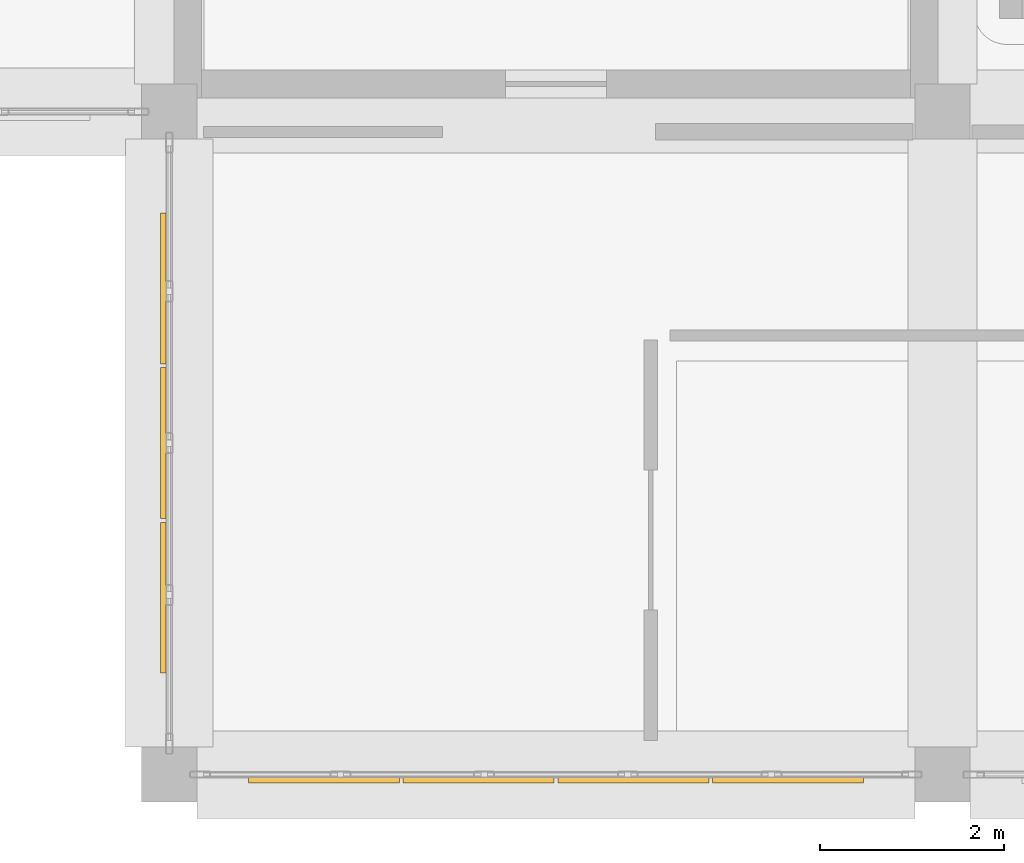
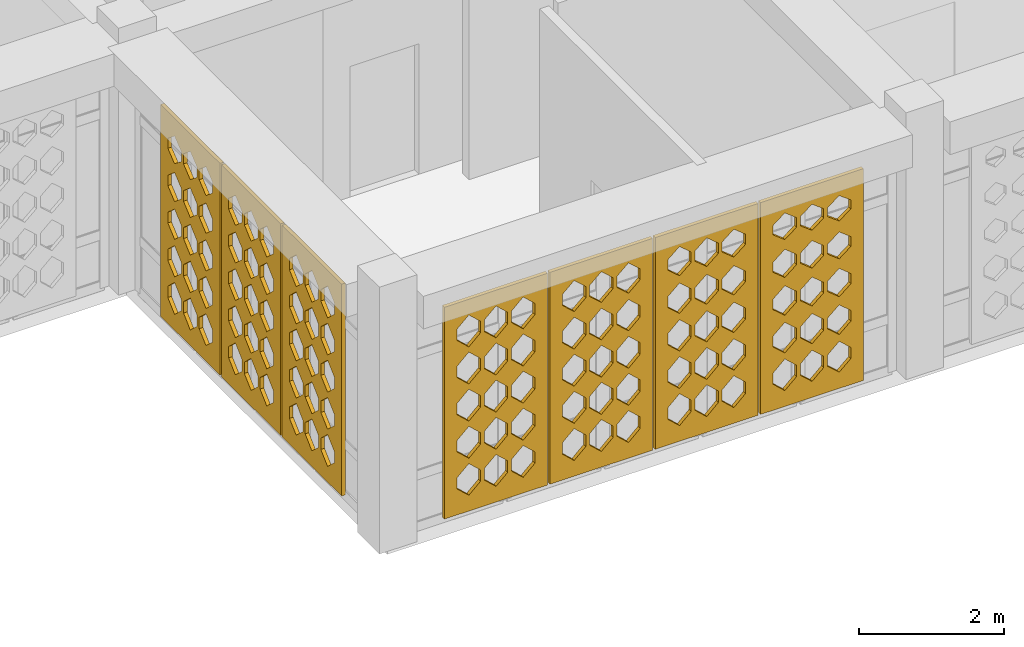
# One storey, part 18 of 28: 7 coverings.
"""IFC4 building model written with IfcOpenShell, lengths in metres."""

from ifc_helpers import new_model, si_unit, derived_unit, direction, frame, origin, place, context, subcontext, project, spatial, polyline, outline, extrude, material, layer, layer_set, type_object, element, save


model = new_model("IFC4")

# Units and contexts
model_context = context("Model", 3, precision=1e-05, world=origin(), true_north=direction((0.0, 1.0)))
body_context = subcontext(model_context, "Body", "Model", "MODEL_VIEW")
ifc_project = project(units=[si_unit("LENGTHUNIT", "METRE"), si_unit("AREAUNIT", "SQUARE_METRE"), si_unit("VOLUMEUNIT", "CUBIC_METRE"), si_unit("PLANEANGLEUNIT", "RADIAN"), si_unit("MASSUNIT", "GRAM", prefix="KILO"), derived_unit("THERMALTRANSMITTANCEUNIT", [(si_unit("POWERUNIT", "WATT"), 1), (si_unit("LENGTHUNIT", "METRE"), -2), (si_unit("THERMODYNAMICTEMPERATUREUNIT", "KELVIN"), -1)])], contexts=[model_context])

# Site, building, storey
site_placement = place(None, origin())
site = spatial("IfcSite", under=ifc_project, at=site_placement, CompositionType="ELEMENT")
building_placement = place(site_placement, origin())
building = spatial("IfcBuilding", under=site, at=building_placement, Name="Veybourne Emporium", CompositionType="ELEMENT")
storey_placement = place(building_placement, frame((0.0, 0.0, 32.10009765625)))
storey = spatial("IfcBuildingStorey", under=building, at=storey_placement, Name="L07", CompositionType="ELEMENT", Elevation=32.10009765625)

# Coverings
ifc_material = material(Name="Warm-White Perforated Aluminium Screen Alloy", Category="aluminium")
ifc_layer_1 = layer(ifc_material, 0.06005859375)
ifc_layer_set_1 = layer_set([ifc_layer_1], Name="Warm-White Perforated Aluminium Screen Alloy")
covering_type_1 = type_object("IfcCoveringType", Name="WaveScreen_SCR-01", PredefinedType="CLADDING", material=ifc_layer_set_1)
covering_1_placement = place(storey_placement, frame((23.52001953125, 7.10693359375, 1.844970703125), z_axis=(0.0, 1.0, 0.0), x_axis=(-1.0, 0.0, 0.0)))
element("IfcCovering", 1, at=covering_1_placement, inside=storey, type_object=covering_type_1, Name="L07 wave-perforated aluminium screen SCR-01 (8C.1)", PredefinedType="CLADDING", context=body_context, shape_type="SweptSolid", body=[
    extrude(outline(polyline([(-0.81982421875, -1.78515625), (0.81982421875, -1.78515625), (0.81982421875, 1.78515625), (-0.81982421875, 1.78515625), (-0.81982421875, -1.78515625)]), holes=[polyline([(-0.433349609375, -0.991943359375), (-0.2470703125, -1.158447265625), (-0.2470703125, -1.345703125), (-0.433349609375, -1.511962890625), (-0.61962890625, -1.345703125), (-0.61962890625, -1.158447265625), (-0.433349609375, -0.991943359375)]), polyline([(-0.433349609375, -0.375244140625), (-0.2470703125, -0.535888671875), (-0.2470703125, -0.71630859375), (-0.433349609375, -0.876708984375), (-0.61962890625, -0.71630859375), (-0.61962890625, -0.535888671875), (-0.433349609375, -0.375244140625)]), polyline([(-0.433349609375, 0.239501953125), (-0.2470703125, 0.086181640625), (-0.2470703125, -0.086181640625), (-0.433349609375, -0.239501953125), (-0.61962890625, -0.086181640625), (-0.61962890625, 0.086181640625), (-0.433349609375, 0.239501953125)]), polyline([(-0.433349609375, 0.85302734375), (-0.2470703125, 0.707763671875), (-0.2470703125, 0.544189453125), (-0.433349609375, 0.39892578125), (-0.61962890625, 0.544189453125), (-0.61962890625, 0.707763671875), (-0.433349609375, 0.85302734375)]), polyline([(-0.433349609375, 1.46533203125), (-0.248779296875, 1.328857421875), (-0.248779296875, 1.17529296875), (-0.433349609375, 1.03857421875), (-0.617919921875, 1.17529296875), (-0.617919921875, 1.328857421875), (-0.433349609375, 1.46533203125)]), polyline([(0.0, -0.988525390625), (0.186279296875, -1.1572265625), (0.186279296875, -1.3466796875), (0.0, -1.515380859375), (-0.186279296875, -1.3466796875), (-0.186279296875, -1.1572265625), (0.0, -0.988525390625)]), polyline([(0.0, -0.37109375), (0.186279296875, -0.5341796875), (0.186279296875, -0.7177734375), (0.0, -0.881103515625), (-0.186279296875, -0.7177734375), (-0.186279296875, -0.5341796875), (0.0, -0.37109375)]), polyline([(0.0, 0.24462890625), (0.186279296875, 0.088134765625), (0.186279296875, -0.088134765625), (0.0, -0.24462890625), (-0.186279296875, -0.088134765625), (-0.186279296875, 0.088134765625), (0.0, 0.24462890625)]), polyline([(0.0, 0.85888671875), (0.186279296875, 0.709716796875), (0.186279296875, 0.542236328125), (0.0, 0.393310546875), (-0.186279296875, 0.542236328125), (-0.186279296875, 0.709716796875), (0.0, 0.85888671875)]), polyline([(0.0, 1.4716796875), (0.186279296875, 1.3310546875), (0.186279296875, 1.1728515625), (0.0, 1.032470703125), (-0.186279296875, 1.1728515625), (-0.186279296875, 1.3310546875), (0.0, 1.4716796875)]), polyline([(0.433349609375, -0.985595703125), (0.61962890625, -1.156005859375), (0.61962890625, -1.347900390625), (0.433349609375, -1.5185546875), (0.2470703125, -1.347900390625), (0.2470703125, -1.156005859375), (0.433349609375, -0.985595703125)]), polyline([(0.433349609375, -0.366943359375), (0.61962890625, -0.53271484375), (0.61962890625, -0.71923828125), (0.433349609375, -0.885009765625), (0.2470703125, -0.71923828125), (0.2470703125, -0.53271484375), (0.433349609375, -0.366943359375)]), polyline([(0.433349609375, 0.24951171875), (0.61962890625, 0.08984375), (0.61962890625, -0.08984375), (0.433349609375, -0.24951171875), (0.2470703125, -0.08984375), (0.2470703125, 0.08984375), (0.433349609375, 0.24951171875)]), polyline([(0.433349609375, 0.8642578125), (0.61962890625, 0.7119140625), (0.61962890625, 0.540283203125), (0.433349609375, 0.3876953125), (0.2470703125, 0.540283203125), (0.2470703125, 0.7119140625), (0.433349609375, 0.8642578125)]), polyline([(0.433349609375, 1.4775390625), (0.61962890625, 1.333251953125), (0.61962890625, 1.1708984375), (0.433349609375, 1.0263671875), (0.2470703125, 1.1708984375), (0.2470703125, 1.333251953125), (0.433349609375, 1.4775390625)])]), origin(), (0.0, 0.0, 1.0), 0.06005859375),
])
ifc_layer_2 = layer(ifc_material, 0.06005859375)
ifc_layer_set_2 = layer_set([ifc_layer_2], Name="Warm-White Perforated Aluminium Screen Alloy")
covering_type_2 = type_object("IfcCoveringType", Name="WaveScreen_SCR-02", PredefinedType="CLADDING", material=ifc_layer_set_2)
covering_2_placement = place(storey_placement, frame((21.840087890625, 7.10693359375, 1.844970703125), z_axis=(0.0, 1.0, 0.0), x_axis=(-1.0, 0.0, 0.0)))
element("IfcCovering", 2, at=covering_2_placement, inside=storey, type_object=covering_type_2, Name="L07 wave-perforated aluminium screen SCR-02 (8C.2)", PredefinedType="CLADDING", context=body_context, shape_type="SweptSolid", body=[
    extrude(outline(polyline([(-0.81982421875, -1.78515625), (0.81982421875, -1.78515625), (0.81982421875, 1.78515625), (-0.81982421875, 1.78515625), (-0.81982421875, -1.78515625)]), holes=[polyline([(-0.433349609375, -0.98291015625), (-0.2470703125, -1.155029296875), (-0.2470703125, -1.348876953125), (-0.433349609375, -1.521240234375), (-0.61962890625, -1.348876953125), (-0.61962890625, -1.155029296875), (-0.433349609375, -0.98291015625)]), polyline([(-0.433349609375, -0.360595703125), (-0.2470703125, -0.530517578125), (-0.2470703125, -0.7216796875), (-0.433349609375, -0.891357421875), (-0.61962890625, -0.7216796875), (-0.61962890625, -0.530517578125), (-0.433349609375, -0.360595703125)]), polyline([(-0.433349609375, 0.257568359375), (-0.2470703125, 0.0927734375), (-0.2470703125, -0.0927734375), (-0.433349609375, -0.257568359375), (-0.61962890625, -0.0927734375), (-0.61962890625, 0.0927734375), (-0.433349609375, 0.257568359375)]), polyline([(-0.433349609375, 0.873779296875), (-0.2470703125, 0.715087890625), (-0.2470703125, 0.536865234375), (-0.433349609375, 0.378173828125), (-0.61962890625, 0.536865234375), (-0.61962890625, 0.715087890625), (-0.433349609375, 0.873779296875)]), polyline([(-0.433349609375, 1.48828125), (-0.2470703125, 1.3369140625), (-0.2470703125, 1.1669921875), (-0.433349609375, 1.015869140625), (-0.61962890625, 1.1669921875), (-0.61962890625, 1.3369140625), (-0.433349609375, 1.48828125)]), polyline([(0.0, -0.98291015625), (0.186279296875, -1.155029296875), (0.186279296875, -1.348876953125), (0.0, -1.521240234375), (-0.186279296875, -1.348876953125), (-0.186279296875, -1.155029296875), (0.0, -0.98291015625)]), polyline([(0.0, -0.35791015625), (0.186279296875, -0.529296875), (0.186279296875, -0.72265625), (0.0, -0.894287109375), (-0.186279296875, -0.72265625), (-0.186279296875, -0.529296875), (0.0, -0.35791015625)]), polyline([(0.0, 0.261474609375), (0.186279296875, 0.093994140625), (0.186279296875, -0.093994140625), (0.0, -0.261474609375), (-0.186279296875, -0.093994140625), (-0.186279296875, 0.093994140625), (0.0, 0.261474609375)]), polyline([(0.0, 0.87841796875), (0.186279296875, 0.716796875), (0.186279296875, 0.53515625), (0.0, 0.37353515625), (-0.186279296875, 0.53515625), (-0.186279296875, 0.716796875), (0.0, 0.87841796875)]), polyline([(0.0, 1.49365234375), (0.186279296875, 1.339111328125), (0.186279296875, 1.1650390625), (0.0, 1.010498046875), (-0.186279296875, 1.1650390625), (-0.186279296875, 1.339111328125), (0.0, 1.49365234375)]), polyline([(0.433349609375, -0.98291015625), (0.61962890625, -1.155029296875), (0.61962890625, -1.348876953125), (0.433349609375, -1.521240234375), (0.2470703125, -1.348876953125), (0.2470703125, -1.155029296875), (0.433349609375, -0.98291015625)]), polyline([(0.433349609375, -0.356689453125), (0.61962890625, -0.529052734375), (0.61962890625, -0.722900390625), (0.433349609375, -0.895263671875), (0.2470703125, -0.722900390625), (0.2470703125, -0.529052734375), (0.433349609375, -0.356689453125)]), polyline([(0.433349609375, 0.2646484375), (0.61962890625, 0.09521484375), (0.61962890625, -0.09521484375), (0.433349609375, -0.2646484375), (0.2470703125, -0.09521484375), (0.2470703125, 0.09521484375), (0.433349609375, 0.2646484375)]), polyline([(0.433349609375, 0.882568359375), (0.61962890625, 0.718505859375), (0.61962890625, 0.53369140625), (0.433349609375, 0.369384765625), (0.2470703125, 0.53369140625), (0.2470703125, 0.718505859375), (0.433349609375, 0.882568359375)]), polyline([(0.433349609375, 1.49853515625), (0.61962890625, 1.3408203125), (0.61962890625, 1.1630859375), (0.433349609375, 1.00537109375), (0.2470703125, 1.1630859375), (0.2470703125, 1.3408203125), (0.433349609375, 1.49853515625)])]), origin(), (0.0, 0.0, 1.0), 0.06005859375),
])
covering_3_placement = place(storey_placement, frame((16.7060546875, 9.1201171875, 1.844970703125), z_axis=(1.0, 0.0, 0.0), x_axis=(0.0, 1.0, 0.0)))
element("IfcCovering", 3, at=covering_3_placement, inside=storey, type_object=covering_type_2, Name="L07 wave-perforated aluminium screen SCR-02 (9C.1)", PredefinedType="CLADDING", context=body_context, shape_type="SweptSolid", body=[
    extrude(outline(polyline([(-0.81982421875, -1.78515625), (0.81982421875, -1.78515625), (0.81982421875, 1.78515625), (-0.81982421875, 1.78515625), (-0.81982421875, -1.78515625)]), holes=[polyline([(-0.433349609375, -0.983642578125), (-0.2470703125, -1.155517578125), (-0.2470703125, -1.3486328125), (-0.433349609375, -1.520263671875), (-0.61962890625, -1.3486328125), (-0.61962890625, -1.155517578125), (-0.433349609375, -0.983642578125)]), polyline([(-0.433349609375, -0.356689453125), (-0.2470703125, -0.529052734375), (-0.2470703125, -0.722900390625), (-0.433349609375, -0.895263671875), (-0.61962890625, -0.722900390625), (-0.61962890625, -0.529052734375), (-0.433349609375, -0.356689453125)]), polyline([(-0.433349609375, 0.269287109375), (-0.2470703125, 0.096923828125), (-0.2470703125, -0.096923828125), (-0.433349609375, -0.269287109375), (-0.61962890625, -0.096923828125), (-0.61962890625, 0.096923828125), (-0.433349609375, 0.269287109375)]), polyline([(-0.433349609375, 0.895263671875), (-0.2470703125, 0.722900390625), (-0.2470703125, 0.529052734375), (-0.433349609375, 0.356689453125), (-0.61962890625, 0.529052734375), (-0.61962890625, 0.722900390625), (-0.433349609375, 0.895263671875)]), polyline([(-0.433349609375, 1.521240234375), (-0.2470703125, 1.348876953125), (-0.2470703125, 1.155029296875), (-0.433349609375, 0.98291015625), (-0.61962890625, 1.155029296875), (-0.61962890625, 1.348876953125), (-0.433349609375, 1.521240234375)]), polyline([(0.0, -0.98291015625), (0.186279296875, -1.155029296875), (0.186279296875, -1.348876953125), (0.0, -1.521240234375), (-0.186279296875, -1.348876953125), (-0.186279296875, -1.155029296875), (0.0, -0.98291015625)]), polyline([(0.0, -0.356689453125), (0.186279296875, -0.529052734375), (0.186279296875, -0.722900390625), (0.0, -0.895263671875), (-0.186279296875, -0.722900390625), (-0.186279296875, -0.529052734375), (0.0, -0.356689453125)]), polyline([(0.0, 0.269287109375), (0.186279296875, 0.096923828125), (0.186279296875, -0.096923828125), (0.0, -0.269287109375), (-0.186279296875, -0.096923828125), (-0.186279296875, 0.096923828125), (0.0, 0.269287109375)]), polyline([(0.0, 0.895263671875), (0.186279296875, 0.722900390625), (0.186279296875, 0.529052734375), (0.0, 0.356689453125), (-0.186279296875, 0.529052734375), (-0.186279296875, 0.722900390625), (0.0, 0.895263671875)]), polyline([(0.0, 1.521240234375), (0.186279296875, 1.348876953125), (0.186279296875, 1.155029296875), (0.0, 0.98291015625), (-0.186279296875, 1.155029296875), (-0.186279296875, 1.348876953125), (0.0, 1.521240234375)]), polyline([(0.433349609375, -0.98291015625), (0.61962890625, -1.155029296875), (0.61962890625, -1.348876953125), (0.433349609375, -1.521240234375), (0.2470703125, -1.348876953125), (0.2470703125, -1.155029296875), (0.433349609375, -0.98291015625)]), polyline([(0.433349609375, -0.356689453125), (0.61962890625, -0.529052734375), (0.61962890625, -0.722900390625), (0.433349609375, -0.895263671875), (0.2470703125, -0.722900390625), (0.2470703125, -0.529052734375), (0.433349609375, -0.356689453125)]), polyline([(0.433349609375, 0.269287109375), (0.61962890625, 0.096923828125), (0.61962890625, -0.096923828125), (0.433349609375, -0.269287109375), (0.2470703125, -0.096923828125), (0.2470703125, 0.096923828125), (0.433349609375, 0.269287109375)]), polyline([(0.433349609375, 0.895263671875), (0.61962890625, 0.722900390625), (0.61962890625, 0.529052734375), (0.433349609375, 0.356689453125), (0.2470703125, 0.529052734375), (0.2470703125, 0.722900390625), (0.433349609375, 0.895263671875)]), polyline([(0.433349609375, 1.518798828125), (0.61962890625, 1.347900390625), (0.61962890625, 1.156005859375), (0.433349609375, 0.985107421875), (0.2470703125, 1.156005859375), (0.2470703125, 1.347900390625), (0.433349609375, 1.518798828125)])]), origin(), (0.0, 0.0, 1.0), 0.06005859375),
])
ifc_layer_3 = layer(ifc_material, 0.06005859375)
ifc_layer_set_3 = layer_set([ifc_layer_3], Name="Warm-White Perforated Aluminium Screen Alloy")
covering_type_3 = type_object("IfcCoveringType", Name="WaveScreen_SCR-03", PredefinedType="CLADDING", material=ifc_layer_set_3)
covering_4_placement = place(storey_placement, frame((20.159912109375, 7.10693359375, 1.844970703125), z_axis=(0.0, 1.0, 0.0), x_axis=(-1.0, 0.0, 0.0)))
element("IfcCovering", 4, at=covering_4_placement, inside=storey, type_object=covering_type_3, Name="L07 wave-perforated aluminium screen SCR-03 (8C.3)", PredefinedType="CLADDING", context=body_context, shape_type="SweptSolid", body=[
    extrude(outline(polyline([(-0.81982421875, -1.78515625), (0.81982421875, -1.78515625), (0.81982421875, 1.78515625), (-0.81982421875, 1.78515625), (-0.81982421875, -1.78515625)]), holes=[polyline([(-0.433349609375, -0.98291015625), (-0.2470703125, -1.155029296875), (-0.2470703125, -1.348876953125), (-0.433349609375, -1.521240234375), (-0.61962890625, -1.348876953125), (-0.61962890625, -1.155029296875), (-0.433349609375, -0.98291015625)]), polyline([(-0.433349609375, -0.356689453125), (-0.2470703125, -0.529052734375), (-0.2470703125, -0.722900390625), (-0.433349609375, -0.895263671875), (-0.61962890625, -0.722900390625), (-0.61962890625, -0.529052734375), (-0.433349609375, -0.356689453125)]), polyline([(-0.433349609375, 0.269287109375), (-0.2470703125, 0.096923828125), (-0.2470703125, -0.096923828125), (-0.433349609375, -0.269287109375), (-0.61962890625, -0.096923828125), (-0.61962890625, 0.096923828125), (-0.433349609375, 0.269287109375)]), polyline([(-0.433349609375, 0.889404296875), (-0.2470703125, 0.720947265625), (-0.2470703125, 0.531005859375), (-0.433349609375, 0.362548828125), (-0.61962890625, 0.531005859375), (-0.61962890625, 0.720947265625), (-0.433349609375, 0.889404296875)]), polyline([(-0.433349609375, 1.507080078125), (-0.2470703125, 1.34375), (-0.2470703125, 1.16015625), (-0.433349609375, 0.996826171875), (-0.61962890625, 1.16015625), (-0.61962890625, 1.34375), (-0.433349609375, 1.507080078125)]), polyline([(0.0, -0.98291015625), (0.186279296875, -1.155029296875), (0.186279296875, -1.348876953125), (0.0, -1.521240234375), (-0.186279296875, -1.348876953125), (-0.186279296875, -1.155029296875), (0.0, -0.98291015625)]), polyline([(0.0, -0.356689453125), (0.186279296875, -0.529052734375), (0.186279296875, -0.722900390625), (0.0, -0.895263671875), (-0.186279296875, -0.722900390625), (-0.186279296875, -0.529052734375), (0.0, -0.356689453125)]), polyline([(0.0, 0.269287109375), (0.186279296875, 0.096923828125), (0.186279296875, -0.096923828125), (0.0, -0.269287109375), (-0.186279296875, -0.096923828125), (-0.186279296875, 0.096923828125), (0.0, 0.269287109375)]), polyline([(0.0, 0.892578125), (0.186279296875, 0.721923828125), (0.186279296875, 0.530029296875), (0.0, 0.359375), (-0.186279296875, 0.530029296875), (-0.186279296875, 0.721923828125), (0.0, 0.892578125)]), polyline([(0.0, 1.510986328125), (0.186279296875, 1.34521484375), (0.186279296875, 1.15869140625), (0.0, 0.992919921875), (-0.186279296875, 1.15869140625), (-0.186279296875, 1.34521484375), (0.0, 1.510986328125)]), polyline([(0.433349609375, -0.98291015625), (0.61962890625, -1.155029296875), (0.61962890625, -1.348876953125), (0.433349609375, -1.521240234375), (0.2470703125, -1.348876953125), (0.2470703125, -1.155029296875), (0.433349609375, -0.98291015625)]), polyline([(0.433349609375, -0.356689453125), (0.61962890625, -0.529052734375), (0.61962890625, -0.722900390625), (0.433349609375, -0.895263671875), (0.2470703125, -0.722900390625), (0.2470703125, -0.529052734375), (0.433349609375, -0.356689453125)]), polyline([(0.433349609375, 0.269287109375), (0.61962890625, 0.096923828125), (0.61962890625, -0.096923828125), (0.433349609375, -0.269287109375), (0.2470703125, -0.096923828125), (0.2470703125, 0.096923828125), (0.433349609375, 0.269287109375)]), polyline([(0.433349609375, 0.895263671875), (0.61962890625, 0.722900390625), (0.61962890625, 0.529052734375), (0.433349609375, 0.356689453125), (0.2470703125, 0.529052734375), (0.2470703125, 0.722900390625), (0.433349609375, 0.895263671875)]), polyline([(0.433349609375, 1.5146484375), (0.61962890625, 1.3466796875), (0.61962890625, 1.157470703125), (0.433349609375, 0.9892578125), (0.2470703125, 1.157470703125), (0.2470703125, 1.3466796875), (0.433349609375, 1.5146484375)])]), origin(), (0.0, 0.0, 1.0), 0.06005859375),
])
covering_5_placement = place(storey_placement, frame((16.7060546875, 10.800048828125, 1.844970703125), z_axis=(1.0, 0.0, 0.0), x_axis=(0.0, 1.0, 0.0)))
element("IfcCovering", 5, at=covering_5_placement, inside=storey, type_object=covering_type_3, Name="L07 wave-perforated aluminium screen SCR-03 (9C.2)", PredefinedType="CLADDING", context=body_context, shape_type="SweptSolid", body=[
    extrude(outline(polyline([(-0.81982421875, -1.78515625), (0.81982421875, -1.78515625), (0.81982421875, 1.78515625), (-0.81982421875, 1.78515625), (-0.81982421875, -1.78515625)]), holes=[polyline([(-0.433349609375, -0.98291015625), (-0.2470703125, -1.155029296875), (-0.2470703125, -1.348876953125), (-0.433349609375, -1.521240234375), (-0.61962890625, -1.348876953125), (-0.61962890625, -1.155029296875), (-0.433349609375, -0.98291015625)]), polyline([(-0.433349609375, -0.356689453125), (-0.2470703125, -0.529052734375), (-0.2470703125, -0.722900390625), (-0.433349609375, -0.895263671875), (-0.61962890625, -0.722900390625), (-0.61962890625, -0.529052734375), (-0.433349609375, -0.356689453125)]), polyline([(-0.433349609375, 0.269287109375), (-0.2470703125, 0.096923828125), (-0.2470703125, -0.096923828125), (-0.433349609375, -0.269287109375), (-0.61962890625, -0.096923828125), (-0.61962890625, 0.096923828125), (-0.433349609375, 0.269287109375)]), polyline([(-0.433349609375, 0.893798828125), (-0.2470703125, 0.722412109375), (-0.2470703125, 0.529541015625), (-0.433349609375, 0.358154296875), (-0.61962890625, 0.529541015625), (-0.61962890625, 0.722412109375), (-0.433349609375, 0.893798828125)]), polyline([(-0.433349609375, 1.5126953125), (-0.2470703125, 1.345947265625), (-0.2470703125, 1.158203125), (-0.433349609375, 0.9912109375), (-0.61962890625, 1.158203125), (-0.61962890625, 1.345947265625), (-0.433349609375, 1.5126953125)]), polyline([(0.0, -0.98291015625), (0.186279296875, -1.155029296875), (0.186279296875, -1.348876953125), (0.0, -1.521240234375), (-0.186279296875, -1.348876953125), (-0.186279296875, -1.155029296875), (0.0, -0.98291015625)]), polyline([(0.0, -0.356689453125), (0.186279296875, -0.529052734375), (0.186279296875, -0.722900390625), (0.0, -0.895263671875), (-0.186279296875, -0.722900390625), (-0.186279296875, -0.529052734375), (0.0, -0.356689453125)]), polyline([(0.0, 0.269287109375), (0.186279296875, 0.096923828125), (0.186279296875, -0.096923828125), (0.0, -0.269287109375), (-0.186279296875, -0.096923828125), (-0.186279296875, 0.096923828125), (0.0, 0.269287109375)]), polyline([(0.0, 0.890869140625), (0.186279296875, 0.721435546875), (0.186279296875, 0.530517578125), (0.0, 0.361083984375), (-0.186279296875, 0.530517578125), (-0.186279296875, 0.721435546875), (0.0, 0.890869140625)]), polyline([(0.0, 1.5087890625), (0.186279296875, 1.344482421875), (0.186279296875, 1.159423828125), (0.0, 0.9951171875), (-0.186279296875, 1.159423828125), (-0.186279296875, 1.344482421875), (0.0, 1.5087890625)]), polyline([(0.433349609375, -0.98291015625), (0.61962890625, -1.155029296875), (0.61962890625, -1.348876953125), (0.433349609375, -1.521240234375), (0.2470703125, -1.348876953125), (0.2470703125, -1.155029296875), (0.433349609375, -0.98291015625)]), polyline([(0.433349609375, -0.356689453125), (0.61962890625, -0.529052734375), (0.61962890625, -0.722900390625), (0.433349609375, -0.895263671875), (0.2470703125, -0.722900390625), (0.2470703125, -0.529052734375), (0.433349609375, -0.356689453125)]), polyline([(0.433349609375, 0.268310546875), (0.61962890625, 0.0966796875), (0.61962890625, -0.0966796875), (0.433349609375, -0.268310546875), (0.2470703125, -0.0966796875), (0.2470703125, 0.0966796875), (0.433349609375, 0.268310546875)]), polyline([(0.433349609375, 0.8876953125), (0.61962890625, 0.72021484375), (0.61962890625, 0.53173828125), (0.433349609375, 0.364501953125), (0.2470703125, 0.53173828125), (0.2470703125, 0.72021484375), (0.433349609375, 0.8876953125)]), polyline([(0.433349609375, 1.504638671875), (0.61962890625, 1.343017578125), (0.61962890625, 1.160888671875), (0.433349609375, 0.999267578125), (0.2470703125, 1.160888671875), (0.2470703125, 1.343017578125), (0.433349609375, 1.504638671875)])]), origin(), (0.0, 0.0, 1.0), 0.06005859375),
])
ifc_layer_4 = layer(ifc_material, 0.06005859375)
ifc_layer_set_4 = layer_set([ifc_layer_4], Name="Warm-White Perforated Aluminium Screen Alloy")
covering_type_4 = type_object("IfcCoveringType", Name="WaveScreen_SCR-04", PredefinedType="CLADDING", material=ifc_layer_set_4)
covering_6_placement = place(storey_placement, frame((18.47998046875, 7.10693359375, 1.844970703125), z_axis=(0.0, 1.0, 0.0), x_axis=(-1.0, 0.0, 0.0)))
element("IfcCovering", 6, at=covering_6_placement, inside=storey, type_object=covering_type_4, Name="L07 wave-perforated aluminium screen SCR-04 (8C.4)", PredefinedType="CLADDING", context=body_context, shape_type="SweptSolid", body=[
    extrude(outline(polyline([(-0.81982421875, -1.78515625), (0.81982421875, -1.78515625), (0.81982421875, 1.78515625), (-0.81982421875, 1.78515625), (-0.81982421875, -1.78515625)]), holes=[polyline([(-0.433349609375, -0.98291015625), (-0.2470703125, -1.155029296875), (-0.2470703125, -1.348876953125), (-0.433349609375, -1.521240234375), (-0.61962890625, -1.348876953125), (-0.61962890625, -1.155029296875), (-0.433349609375, -0.98291015625)]), polyline([(-0.433349609375, -0.356689453125), (-0.2470703125, -0.529052734375), (-0.2470703125, -0.722900390625), (-0.433349609375, -0.895263671875), (-0.61962890625, -0.722900390625), (-0.61962890625, -0.529052734375), (-0.433349609375, -0.356689453125)]), polyline([(-0.433349609375, 0.269287109375), (-0.2470703125, 0.096923828125), (-0.2470703125, -0.096923828125), (-0.433349609375, -0.269287109375), (-0.61962890625, -0.096923828125), (-0.61962890625, 0.096923828125), (-0.433349609375, 0.269287109375)]), polyline([(-0.433349609375, 0.895263671875), (-0.2470703125, 0.722900390625), (-0.2470703125, 0.529052734375), (-0.433349609375, 0.356689453125), (-0.61962890625, 0.529052734375), (-0.61962890625, 0.722900390625), (-0.433349609375, 0.895263671875)]), polyline([(-0.433349609375, 1.520263671875), (-0.2470703125, 1.3486328125), (-0.2470703125, 1.155517578125), (-0.433349609375, 0.983642578125), (-0.61962890625, 1.155517578125), (-0.61962890625, 1.3486328125), (-0.433349609375, 1.520263671875)]), polyline([(0.0, -0.98291015625), (0.186279296875, -1.155029296875), (0.186279296875, -1.348876953125), (0.0, -1.521240234375), (-0.186279296875, -1.348876953125), (-0.186279296875, -1.155029296875), (0.0, -0.98291015625)]), polyline([(0.0, -0.356689453125), (0.186279296875, -0.529052734375), (0.186279296875, -0.722900390625), (0.0, -0.895263671875), (-0.186279296875, -0.722900390625), (-0.186279296875, -0.529052734375), (0.0, -0.356689453125)]), polyline([(0.0, 0.269287109375), (0.186279296875, 0.096923828125), (0.186279296875, -0.096923828125), (0.0, -0.269287109375), (-0.186279296875, -0.096923828125), (-0.186279296875, 0.096923828125), (0.0, 0.269287109375)]), polyline([(0.0, 0.895263671875), (0.186279296875, 0.722900390625), (0.186279296875, 0.529052734375), (0.0, 0.356689453125), (-0.186279296875, 0.529052734375), (-0.186279296875, 0.722900390625), (0.0, 0.895263671875)]), polyline([(0.0, 1.521240234375), (0.186279296875, 1.348876953125), (0.186279296875, 1.155029296875), (0.0, 0.98291015625), (-0.186279296875, 1.155029296875), (-0.186279296875, 1.348876953125), (0.0, 1.521240234375)]), polyline([(0.433349609375, -0.985107421875), (0.61962890625, -1.156005859375), (0.61962890625, -1.347900390625), (0.433349609375, -1.518798828125), (0.2470703125, -1.347900390625), (0.2470703125, -1.156005859375), (0.433349609375, -0.985107421875)]), polyline([(0.433349609375, -0.356689453125), (0.61962890625, -0.529052734375), (0.61962890625, -0.722900390625), (0.433349609375, -0.895263671875), (0.2470703125, -0.722900390625), (0.2470703125, -0.529052734375), (0.433349609375, -0.356689453125)]), polyline([(0.433349609375, 0.269287109375), (0.61962890625, 0.096923828125), (0.61962890625, -0.096923828125), (0.433349609375, -0.269287109375), (0.2470703125, -0.096923828125), (0.2470703125, 0.096923828125), (0.433349609375, 0.269287109375)]), polyline([(0.433349609375, 0.895263671875), (0.61962890625, 0.722900390625), (0.61962890625, 0.529052734375), (0.433349609375, 0.356689453125), (0.2470703125, 0.529052734375), (0.2470703125, 0.722900390625), (0.433349609375, 0.895263671875)]), polyline([(0.433349609375, 1.521240234375), (0.61962890625, 1.348876953125), (0.61962890625, 1.155029296875), (0.433349609375, 0.98291015625), (0.2470703125, 1.155029296875), (0.2470703125, 1.348876953125), (0.433349609375, 1.521240234375)])]), origin(), (0.0, 0.0, 1.0), 0.06005859375),
])
covering_7_placement = place(storey_placement, frame((16.7060546875, 12.47998046875, 1.844970703125), z_axis=(1.0, 0.0, 0.0), x_axis=(0.0, 1.0, 0.0)))
element("IfcCovering", 7, at=covering_7_placement, inside=storey, type_object=covering_type_4, Name="L07 wave-perforated aluminium screen SCR-04 (9C.3)", PredefinedType="CLADDING", context=body_context, shape_type="SweptSolid", body=[
    extrude(outline(polyline([(-0.81982421875, -1.78515625), (0.81982421875, -1.78515625), (0.81982421875, 1.78515625), (-0.81982421875, 1.78515625), (-0.81982421875, -1.78515625)]), holes=[polyline([(-0.433349609375, -0.98291015625), (-0.2470703125, -1.155029296875), (-0.2470703125, -1.348876953125), (-0.433349609375, -1.521240234375), (-0.61962890625, -1.348876953125), (-0.61962890625, -1.155029296875), (-0.433349609375, -0.98291015625)]), polyline([(-0.433349609375, -0.356689453125), (-0.2470703125, -0.529052734375), (-0.2470703125, -0.722900390625), (-0.433349609375, -0.895263671875), (-0.61962890625, -0.722900390625), (-0.61962890625, -0.529052734375), (-0.433349609375, -0.356689453125)]), polyline([(-0.433349609375, 0.262939453125), (-0.2470703125, 0.094482421875), (-0.2470703125, -0.094482421875), (-0.433349609375, -0.262939453125), (-0.61962890625, -0.094482421875), (-0.61962890625, 0.094482421875), (-0.433349609375, 0.262939453125)]), polyline([(-0.433349609375, 0.88037109375), (-0.2470703125, 0.717529296875), (-0.2470703125, 0.534423828125), (-0.433349609375, 0.37158203125), (-0.61962890625, 0.534423828125), (-0.61962890625, 0.717529296875), (-0.433349609375, 0.88037109375)]), polyline([(-0.433349609375, 1.495849609375), (-0.2470703125, 1.33984375), (-0.2470703125, 1.164306640625), (-0.433349609375, 1.008056640625), (-0.61962890625, 1.164306640625), (-0.61962890625, 1.33984375), (-0.433349609375, 1.495849609375)]), polyline([(0.0, -0.98291015625), (0.186279296875, -1.155029296875), (0.186279296875, -1.348876953125), (0.0, -1.521240234375), (-0.186279296875, -1.348876953125), (-0.186279296875, -1.155029296875), (0.0, -0.98291015625)]), polyline([(0.0, -0.359375), (0.186279296875, -0.530029296875), (0.186279296875, -0.721923828125), (0.0, -0.892578125), (-0.186279296875, -0.721923828125), (-0.186279296875, -0.530029296875), (0.0, -0.359375)]), polyline([(0.0, 0.25927734375), (0.186279296875, 0.093505859375), (0.186279296875, -0.093505859375), (0.0, -0.25927734375), (-0.186279296875, -0.093505859375), (-0.186279296875, 0.093505859375), (0.0, 0.25927734375)]), polyline([(0.0, 0.8759765625), (0.186279296875, 0.716064453125), (0.186279296875, 0.535888671875), (0.0, 0.376220703125), (-0.186279296875, 0.535888671875), (-0.186279296875, 0.716064453125), (0.0, 0.8759765625)]), polyline([(0.0, 1.49072265625), (0.186279296875, 1.337890625), (0.186279296875, 1.166015625), (0.0, 1.01318359375), (-0.186279296875, 1.166015625), (-0.186279296875, 1.337890625), (0.0, 1.49072265625)]), polyline([(0.433349609375, -0.98291015625), (0.61962890625, -1.155029296875), (0.61962890625, -1.348876953125), (0.433349609375, -1.521240234375), (0.2470703125, -1.348876953125), (0.2470703125, -1.155029296875), (0.433349609375, -0.98291015625)]), polyline([(0.433349609375, -0.3623046875), (0.61962890625, -0.531005859375), (0.61962890625, -0.720947265625), (0.433349609375, -0.8896484375), (0.2470703125, -0.720947265625), (0.2470703125, -0.531005859375), (0.433349609375, -0.3623046875)]), polyline([(0.433349609375, 0.25537109375), (0.61962890625, 0.091796875), (0.61962890625, -0.091796875), (0.433349609375, -0.25537109375), (0.2470703125, -0.091796875), (0.2470703125, 0.091796875), (0.433349609375, 0.25537109375)]), polyline([(0.433349609375, 0.87109375), (0.61962890625, 0.714111328125), (0.61962890625, 0.537841796875), (0.433349609375, 0.380859375), (0.2470703125, 0.537841796875), (0.2470703125, 0.714111328125), (0.433349609375, 0.87109375)]), polyline([(0.433349609375, 1.485107421875), (0.61962890625, 1.3359375), (0.61962890625, 1.16796875), (0.433349609375, 1.018798828125), (0.2470703125, 1.16796875), (0.2470703125, 1.3359375), (0.433349609375, 1.485107421875)])]), origin(), (0.0, 0.0, 1.0), 0.06005859375),
])

save(model, "model.ifc")
